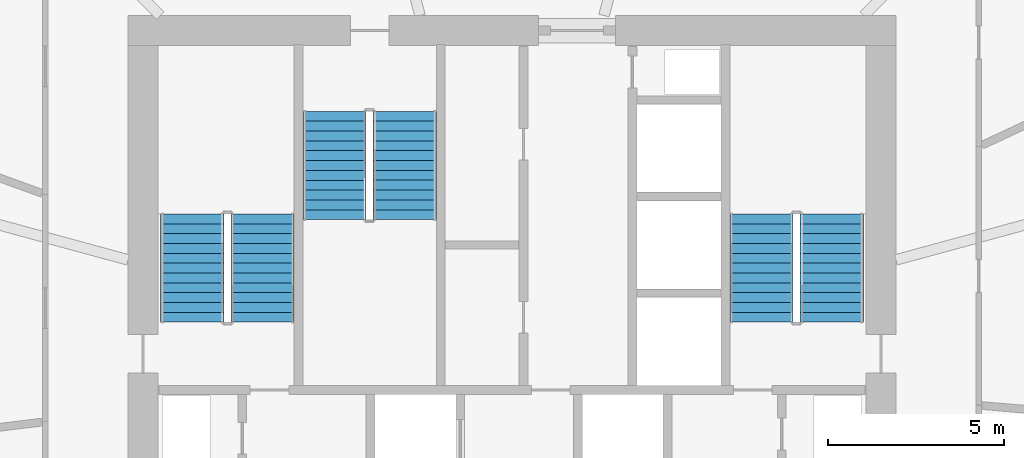
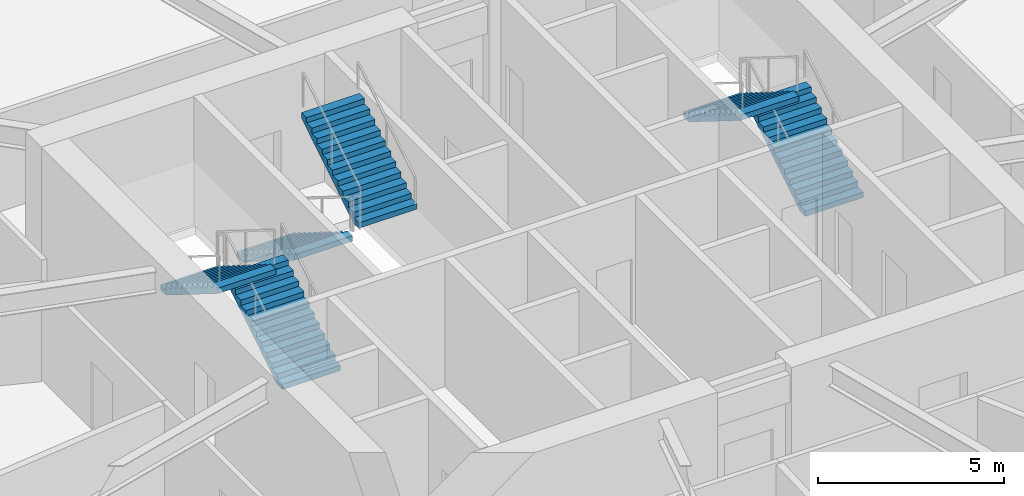
# One storey, part 27 of 28: 6 stair flights, 3 elements without a shape of their own.
"""IFC4 building model written with IfcOpenShell, lengths in metres."""

from ifc_helpers import new_model, si_unit, direction, frame, origin, place, context, subcontext, project, spatial, polyline, outline, extrude, material, type_object, element, aggregate, save


model = new_model("IFC4")

# Units and contexts
model_context = context("Model", 3, precision=1e-05, world=origin(), true_north=direction((0.0, 1.0)))
body_context = subcontext(model_context, "Body", "Model", "MODEL_VIEW")
ifc_project = project(units=[si_unit("LENGTHUNIT", "METRE"), si_unit("AREAUNIT", "SQUARE_METRE"), si_unit("VOLUMEUNIT", "CUBIC_METRE"), si_unit("PLANEANGLEUNIT", "RADIAN"), si_unit("MASSUNIT", "GRAM", prefix="KILO")], contexts=[model_context])

# Site, building, storey
site_placement = place(None, origin())
site = spatial("IfcSite", under=ifc_project, at=site_placement, CompositionType="ELEMENT")
building_placement = place(site_placement, origin())
building = spatial("IfcBuilding", under=site, at=building_placement, Name="Zuhravey Tower", CompositionType="ELEMENT")
storey_placement = place(building_placement, frame((0.0, 0.0, 79.199951171875)))
storey = spatial("IfcBuildingStorey", under=building, at=storey_placement, Name="L19", CompositionType="ELEMENT", Elevation=79.199951171875)

# Stair, stair flights
ifc_material = material(Name="Concrete C40/50", Category="concrete")
stair_type = type_object("IfcStairType", Name="School Storey Stair Assembly 4200", PredefinedType="HALF_TURN_STAIR", material=ifc_material)
stair_1_placement = place(storey_placement, origin())
stair_1 = element("IfcStair", 1, at=stair_1_placement, inside=storey, type_object=stair_type, Name="L19 Core Exit Stair ST1", PredefinedType="HALF_TURN_STAIR")
stair_flight_type = type_object("IfcStairFlightType", Name="School Storey Stair Flight 4200", PredefinedType="STRAIGHT", material=ifc_material)
stair_flight_1_placement = place(storey_placement, frame((28.89990234375, 33.199951171875, 0.0), z_axis=(0.0, 0.0, 1.0), x_axis=(0.0, 1.0, 0.0)))
stair_flight_1 = element("IfcStairFlight", 2, at=stair_flight_1_placement, type_object=stair_flight_type, Name="ST1 flight 1", NumberOfRisers=12, NumberOfTreads=11, PredefinedType="STRAIGHT", RiserHeight=0.175, TreadLength=0.28, context=body_context, shape_type="SweptSolid", body=[
    extrude(outline(polyline([(0.0, 0.0), (0.0, 0.175048828125), (0.280029296875, 0.175048828125), (0.280029296875, 0.35009765625), (0.56005859375, 0.35009765625), (0.56005859375, 0.52490234375), (0.840087890625, 0.52490234375), (0.840087890625, 0.699951171875), (1.1201171875, 0.699951171875), (1.1201171875, 0.875), (1.39990234375, 0.875), (1.39990234375, 1.050048828125), (1.679931640625, 1.050048828125), (1.679931640625, 1.22509765625), (1.9599609375, 1.22509765625), (1.9599609375, 1.39990234375), (2.239990234375, 1.39990234375), (2.239990234375, 1.574951171875), (2.52001953125, 1.574951171875), (2.52001953125, 1.75), (2.800048828125, 1.75), (2.800048828125, 1.925048828125), (3.080078125, 1.925048828125), (3.080078125, 2.10009765625), (3.080078125, 1.748291015625), (0.28271484375, 0.0), (0.0, 0.0)])), frame((0.0, 0.89990234375, 0.0), z_axis=(0.0, -1.0, 0.0), x_axis=(1.0, 0.0, 0.0)), (0.0, 0.0, 1.0), 1.800048828125),
])
stair_flight_2_placement = place(storey_placement, frame((26.89990234375, 36.280029296875, 2.10009765625), z_axis=(0.0, 0.0, 1.0), x_axis=(0.0, -1.0, 0.0)))
stair_flight_2 = element("IfcStairFlight", 3, at=stair_flight_2_placement, type_object=stair_flight_type, Name="ST1 flight 2", NumberOfRisers=12, NumberOfTreads=11, PredefinedType="STRAIGHT", RiserHeight=0.175, TreadLength=0.28, context=body_context, shape_type="SweptSolid", body=[
    extrude(outline(polyline([(0.0, 0.0), (0.0, 0.175048828125), (0.280029296875, 0.175048828125), (0.280029296875, 0.35009765625), (0.56005859375, 0.35009765625), (0.56005859375, 0.52490234375), (0.840087890625, 0.52490234375), (0.840087890625, 0.699951171875), (1.1201171875, 0.699951171875), (1.1201171875, 0.875), (1.39990234375, 0.875), (1.39990234375, 1.050048828125), (1.679931640625, 1.050048828125), (1.679931640625, 1.22509765625), (1.9599609375, 1.22509765625), (1.9599609375, 1.39990234375), (2.239990234375, 1.39990234375), (2.239990234375, 1.574951171875), (2.52001953125, 1.574951171875), (2.52001953125, 1.75), (2.800048828125, 1.75), (2.800048828125, 1.925048828125), (3.080078125, 1.925048828125), (3.080078125, 2.10009765625), (3.080078125, 1.748291015625), (0.28271484375, 0.0), (0.0, 0.0)])), frame((0.0, 0.89990234375, 0.0), z_axis=(0.0, -1.0, 0.0), x_axis=(1.0, 0.0, 0.0)), (0.0, 0.0, 1.0), 1.800048828125),
])
aggregate(stair_1, [stair_flight_1, stair_flight_2])

stair_2_placement = place(storey_placement, origin())
stair_2 = element("IfcStair", 4, at=stair_2_placement, inside=storey, type_object=stair_type, Name="L19 Core Exit Stair ST2", PredefinedType="HALF_TURN_STAIR")
stair_flight_3_placement = place(storey_placement, frame((45.10009765625, 33.199951171875, 0.0), z_axis=(0.0, 0.0, 1.0), x_axis=(0.0, 1.0, 0.0)))
stair_flight_3 = element("IfcStairFlight", 5, at=stair_flight_3_placement, type_object=stair_flight_type, Name="ST2 flight 1", NumberOfRisers=12, NumberOfTreads=11, PredefinedType="STRAIGHT", RiserHeight=0.175, TreadLength=0.28, context=body_context, shape_type="SweptSolid", body=[
    extrude(outline(polyline([(0.0, 0.0), (0.0, 0.175048828125), (0.280029296875, 0.175048828125), (0.280029296875, 0.35009765625), (0.56005859375, 0.35009765625), (0.56005859375, 0.52490234375), (0.840087890625, 0.52490234375), (0.840087890625, 0.699951171875), (1.1201171875, 0.699951171875), (1.1201171875, 0.875), (1.39990234375, 0.875), (1.39990234375, 1.050048828125), (1.679931640625, 1.050048828125), (1.679931640625, 1.22509765625), (1.9599609375, 1.22509765625), (1.9599609375, 1.39990234375), (2.239990234375, 1.39990234375), (2.239990234375, 1.574951171875), (2.52001953125, 1.574951171875), (2.52001953125, 1.75), (2.800048828125, 1.75), (2.800048828125, 1.925048828125), (3.080078125, 1.925048828125), (3.080078125, 2.10009765625), (3.080078125, 1.748291015625), (0.28271484375, 0.0), (0.0, 0.0)])), frame((0.0, 0.89990234375, 0.0), z_axis=(0.0, -1.0, 0.0), x_axis=(1.0, 0.0, 0.0)), (0.0, 0.0, 1.0), 1.800048828125),
])
stair_flight_4_placement = place(storey_placement, frame((43.10009765625, 36.280029296875, 2.10009765625), z_axis=(0.0, 0.0, 1.0), x_axis=(0.0, -1.0, 0.0)))
stair_flight_4 = element("IfcStairFlight", 6, at=stair_flight_4_placement, type_object=stair_flight_type, Name="ST2 flight 2", NumberOfRisers=12, NumberOfTreads=11, PredefinedType="STRAIGHT", RiserHeight=0.175, TreadLength=0.28, context=body_context, shape_type="SweptSolid", body=[
    extrude(outline(polyline([(0.0, 0.0), (0.0, 0.175048828125), (0.280029296875, 0.175048828125), (0.280029296875, 0.35009765625), (0.56005859375, 0.35009765625), (0.56005859375, 0.52490234375), (0.840087890625, 0.52490234375), (0.840087890625, 0.699951171875), (1.1201171875, 0.699951171875), (1.1201171875, 0.875), (1.39990234375, 0.875), (1.39990234375, 1.050048828125), (1.679931640625, 1.050048828125), (1.679931640625, 1.22509765625), (1.9599609375, 1.22509765625), (1.9599609375, 1.39990234375), (2.239990234375, 1.39990234375), (2.239990234375, 1.574951171875), (2.52001953125, 1.574951171875), (2.52001953125, 1.75), (2.800048828125, 1.75), (2.800048828125, 1.925048828125), (3.080078125, 1.925048828125), (3.080078125, 2.10009765625), (3.080078125, 1.748291015625), (0.28271484375, 0.0), (0.0, 0.0)])), frame((0.0, 0.89990234375, 0.0), z_axis=(0.0, -1.0, 0.0), x_axis=(1.0, 0.0, 0.0)), (0.0, 0.0, 1.0), 1.800048828125),
])
aggregate(stair_2, [stair_flight_3, stair_flight_4])

stair_3_placement = place(storey_placement, origin())
stair_3 = element("IfcStair", 7, at=stair_3_placement, inside=storey, type_object=stair_type, Name="L19 Core Exit Stair ST3", PredefinedType="HALF_TURN_STAIR")
stair_flight_5_placement = place(storey_placement, frame((30.949951171875, 39.199951171875, 0.0), z_axis=(0.0, 0.0, 1.0), x_axis=(0.0, -1.0, 0.0)))
stair_flight_5 = element("IfcStairFlight", 8, at=stair_flight_5_placement, type_object=stair_flight_type, Name="ST3 flight 1", NumberOfRisers=12, NumberOfTreads=11, PredefinedType="STRAIGHT", RiserHeight=0.175, TreadLength=0.28, context=body_context, shape_type="SweptSolid", body=[
    extrude(outline(polyline([(0.0, 0.0), (0.0, 0.175048828125), (0.280029296875, 0.175048828125), (0.280029296875, 0.35009765625), (0.56005859375, 0.35009765625), (0.56005859375, 0.52490234375), (0.840087890625, 0.52490234375), (0.840087890625, 0.699951171875), (1.1201171875, 0.699951171875), (1.1201171875, 0.875), (1.39990234375, 0.875), (1.39990234375, 1.050048828125), (1.679931640625, 1.050048828125), (1.679931640625, 1.22509765625), (1.9599609375, 1.22509765625), (1.9599609375, 1.39990234375), (2.239990234375, 1.39990234375), (2.239990234375, 1.574951171875), (2.52001953125, 1.574951171875), (2.52001953125, 1.75), (2.800048828125, 1.75), (2.800048828125, 1.925048828125), (3.080078125, 1.925048828125), (3.080078125, 2.10009765625), (3.080078125, 1.748291015625), (0.28271484375, 0.0), (0.0, 0.0)])), frame((0.0, 0.89990234375, 0.0), z_axis=(0.0, -1.0, 0.0), x_axis=(1.0, 0.0, 0.0)), (0.0, 0.0, 1.0), 1.800048828125),
])
stair_flight_6_placement = place(storey_placement, frame((32.949951171875, 36.1201171875, 2.10009765625), z_axis=(0.0, 0.0, 1.0), x_axis=(0.0, 1.0, 0.0)))
stair_flight_6 = element("IfcStairFlight", 9, at=stair_flight_6_placement, type_object=stair_flight_type, Name="ST3 flight 2", NumberOfRisers=12, NumberOfTreads=11, PredefinedType="STRAIGHT", RiserHeight=0.175, TreadLength=0.28, context=body_context, shape_type="SweptSolid", body=[
    extrude(outline(polyline([(0.0, 0.0), (0.0, 0.175048828125), (0.280029296875, 0.175048828125), (0.280029296875, 0.35009765625), (0.56005859375, 0.35009765625), (0.56005859375, 0.52490234375), (0.840087890625, 0.52490234375), (0.840087890625, 0.699951171875), (1.1201171875, 0.699951171875), (1.1201171875, 0.875), (1.39990234375, 0.875), (1.39990234375, 1.050048828125), (1.679931640625, 1.050048828125), (1.679931640625, 1.22509765625), (1.9599609375, 1.22509765625), (1.9599609375, 1.39990234375), (2.239990234375, 1.39990234375), (2.239990234375, 1.574951171875), (2.52001953125, 1.574951171875), (2.52001953125, 1.75), (2.800048828125, 1.75), (2.800048828125, 1.925048828125), (3.080078125, 1.925048828125), (3.080078125, 2.10009765625), (3.080078125, 1.748291015625), (0.28271484375, 0.0), (0.0, 0.0)])), frame((0.0, 0.89990234375, 0.0), z_axis=(0.0, -1.0, 0.0), x_axis=(1.0, 0.0, 0.0)), (0.0, 0.0, 1.0), 1.800048828125),
])
aggregate(stair_3, [stair_flight_5, stair_flight_6])

save(model, "model.ifc")
